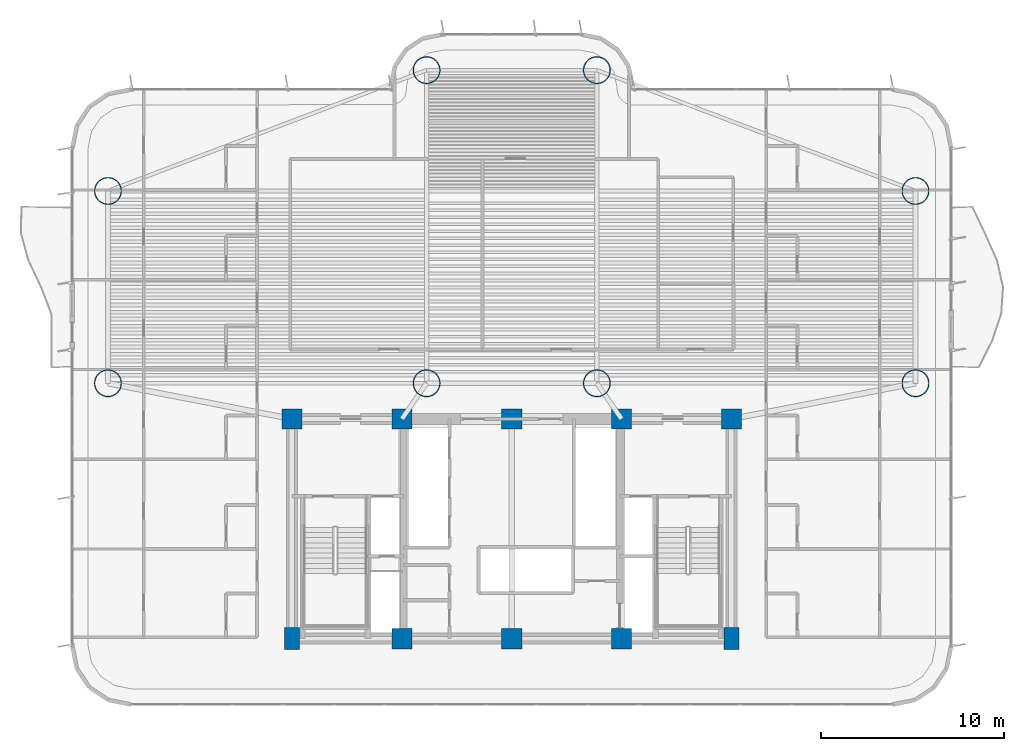
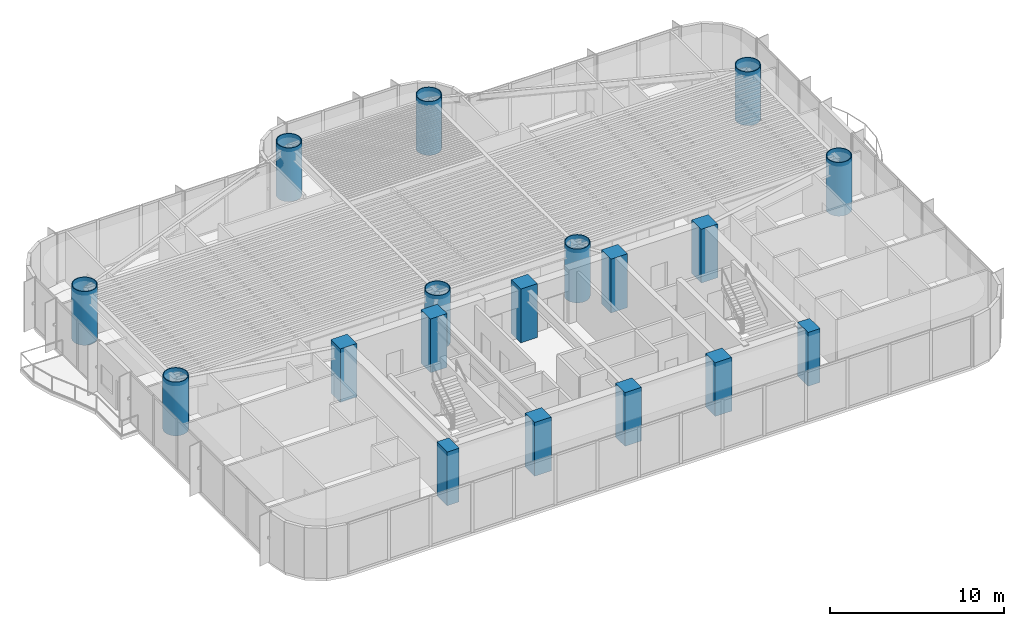
# One storey, part 1 of 19: 18 columns.
"""IFC4 building model written with IfcOpenShell, lengths in metres."""

from ifc_helpers import new_model, si_unit, direction, frame, origin, origin_2d, place, context, subcontext, project, spatial, rectangle, hollow_circle, extrude, source, transform, mapped, material, material_profile, profile_set, type_object, element, save


model = new_model("IFC4")

# Units and contexts
model_context = context("Model", 3, precision=1e-05, world=origin(), true_north=direction((0.0, 1.0)))
body_context = subcontext(model_context, "Body", "Model", "MODEL_VIEW")
ifc_project = project(units=[si_unit("LENGTHUNIT", "METRE"), si_unit("AREAUNIT", "SQUARE_METRE"), si_unit("VOLUMEUNIT", "CUBIC_METRE"), si_unit("PLANEANGLEUNIT", "RADIAN"), si_unit("MASSUNIT", "GRAM", prefix="KILO")], contexts=[model_context])

# Site, building, storey
site_placement = place(None, origin())
site = spatial("IfcSite", under=ifc_project, at=site_placement, CompositionType="ELEMENT")
building_placement = place(site_placement, origin())
building = spatial("IfcBuilding", under=site, at=building_placement, Name="Brelvock Crest Care Tower", CompositionType="ELEMENT")
storey_placement = place(building_placement, frame((0.0, 0.0, 68.580078125)))
storey = spatial("IfcBuildingStorey", under=building, at=storey_placement, Name="L17", CompositionType="ELEMENT", Elevation=68.580078125)

# Columns
ifc_material_1 = material(Name="Concrete S80 (80 MPa)", Category="concrete")
ifc_material_profile_1 = material_profile(ifc_material_1, rectangle(XDim=0.800048828125, YDim=1.199951171875, at=origin_2d()), Name="RC800x1200")
ifc_profile_set_1 = profile_set([ifc_material_profile_1], Name="Concrete S80 (80 MPa)")
column_type_1 = type_object("IfcColumnType", Name="COL-RC5", PredefinedType="COLUMN", material=ifc_profile_set_1)
shared_shape_1 = source(origin(), body_context, "Body", "SweptSolid", [
    extrude(rectangle(XDim=0.800048828125, YDim=1.199951171875, at=origin_2d()), origin(), (0.0, 0.0, 1.0), 3.780029296875),
])
for number, where, z_axis, x_axis, name in (
    (1, (24.0, 6.0, 0.0), (0.0, 0.0, 1.0), (1.0, 0.0, 0.0), "L17 Core Column CC-01"),
    (2, (48.0, 6.0, 0.0), (0.0, 0.0, 1.0), (1.0, 0.0, 0.0), "L17 Core Column CC-05"),
):
    element("IfcColumn", number, at=place(storey_placement, frame(where, z_axis=z_axis, x_axis=x_axis)), inside=storey, type_object=column_type_1, Name=name, PredefinedType="COLUMN", context=body_context, shape_type="MappedRepresentation", body=[
        mapped(shared_shape_1, transform((0.0, 0.0, 0.0), x_axis=(1.0, 0.0, 0.0), y_axis=(0.0, 1.0, 0.0), z_axis=(0.0, 0.0, 1.0), scale=1.0)),
    ])
ifc_material_profile_2 = material_profile(ifc_material_1, rectangle(XDim=1.10009765625, YDim=1.10009765625, at=origin_2d()), Name="RC1100x1100")
ifc_profile_set_2 = profile_set([ifc_material_profile_2], Name="Concrete S80 (80 MPa)")
column_type_2 = type_object("IfcColumnType", Name="COL-RC1", PredefinedType="COLUMN", material=ifc_profile_set_2)
shared_shape_2 = source(origin(), body_context, "Body", "SweptSolid", [
    extrude(rectangle(XDim=1.10009765625, YDim=1.10009765625, at=origin_2d()), origin(), (0.0, 0.0, 1.0), 3.780029296875),
])
for number, where, z_axis, x_axis, name in (
    (3, (30.0, 6.0, 0.0), (0.0, 0.0, 1.0), (1.0, 0.0, 0.0), "L17 Core Column CC-02"),
    (4, (36.0, 6.0, 0.0), (0.0, 0.0, 1.0), (1.0, 0.0, 0.0), "L17 Core Column CC-03"),
    (5, (42.0, 6.0, 0.0), (0.0, 0.0, 1.0), (1.0, 0.0, 0.0), "L17 Core Column CC-04"),
    (6, (24.0, 18.0, 0.0), (0.0, 0.0, 1.0), (1.0, 0.0, 0.0), "L17 Core Column CC-06"),
    (7, (30.0, 18.0, 0.0), (0.0, 0.0, 1.0), (1.0, 0.0, 0.0), "L17 Core Column CC-07"),
    (8, (36.0, 18.0, 0.0), (0.0, 0.0, 1.0), (1.0, 0.0, 0.0), "L17 Core Column CC-08"),
    (9, (42.0, 18.0, 0.0), (0.0, 0.0, 1.0), (1.0, 0.0, 0.0), "L17 Core Column CC-09"),
    (10, (48.0, 18.0, 0.0), (0.0, 0.0, 1.0), (1.0, 0.0, 0.0), "L17 Core Column CC-10"),
):
    element("IfcColumn", number, at=place(storey_placement, frame(where, z_axis=z_axis, x_axis=x_axis)), inside=storey, type_object=column_type_2, Name=name, PredefinedType="COLUMN", context=body_context, shape_type="MappedRepresentation", body=[
        mapped(shared_shape_2, transform((0.0, 0.0, 0.0), x_axis=(1.0, 0.0, 0.0), y_axis=(0.0, 1.0, 0.0), z_axis=(0.0, 0.0, 1.0), scale=1.0)),
    ])
ifc_material_2 = material(Name="Steel Grade 350", Category="steel")
ifc_material_profile_3 = material_profile(ifc_material_2, hollow_circle(Radius=0.75, WallThickness=0.050048828125, at=origin_2d()), Name="CFT1500x50")
ifc_profile_set_3 = profile_set([ifc_material_profile_3], Name="Steel Grade 350")
column_type_3 = type_object("IfcColumnType", Name="COL-MC1", PredefinedType="COLUMN", material=ifc_profile_set_3)
shared_shape_3 = source(origin(), body_context, "Body", "SweptSolid", [
    extrude(hollow_circle(Radius=0.75, WallThickness=0.050048828125, at=origin_2d()), origin(), (0.0, 0.0, 1.0), 3.780029296875),
])
for number, where, z_axis, x_axis, name in (
    (11, (13.949951171875, 19.949951171875, 0.0), (0.0, 0.0, 1.0), (1.0, 0.0, 0.0), "L17 Tower Column M1"),
    (12, (13.949951171875, 30.449951171875, 0.0), (0.0, 0.0, 1.0), (1.0, 0.0, 0.0), "L17 Tower Column M2"),
    (13, (58.050048828125, 19.949951171875, 0.0), (0.0, 0.0, 1.0), (1.0, 0.0, 0.0), "L17 Tower Column M3"),
    (14, (58.050048828125, 30.449951171875, 0.0), (0.0, 0.0, 1.0), (1.0, 0.0, 0.0), "L17 Tower Column M4"),
    (15, (31.35009765625, 19.949951171875, 0.0), (0.0, 0.0, 1.0), (1.0, 0.0, 0.0), "L17 Tower Column M5"),
    (16, (40.64990234375, 19.949951171875, 0.0), (0.0, 0.0, 1.0), (1.0, 0.0, 0.0), "L17 Tower Column M6"),
    (17, (31.35009765625, 37.050048828125, 0.0), (0.0, 0.0, 1.0), (1.0, 0.0, 0.0), "L17 Tower Column M7"),
    (18, (40.64990234375, 37.050048828125, 0.0), (0.0, 0.0, 1.0), (1.0, 0.0, 0.0), "L17 Tower Column M8"),
):
    element("IfcColumn", number, at=place(storey_placement, frame(where, z_axis=z_axis, x_axis=x_axis)), inside=storey, type_object=column_type_3, Name=name, PredefinedType="COLUMN", context=body_context, shape_type="MappedRepresentation", body=[
        mapped(shared_shape_3, transform((0.0, 0.0, 0.0), x_axis=(1.0, 0.0, 0.0), y_axis=(0.0, 1.0, 0.0), z_axis=(0.0, 0.0, 1.0), scale=1.0)),
    ])

save(model, "model.ifc")
